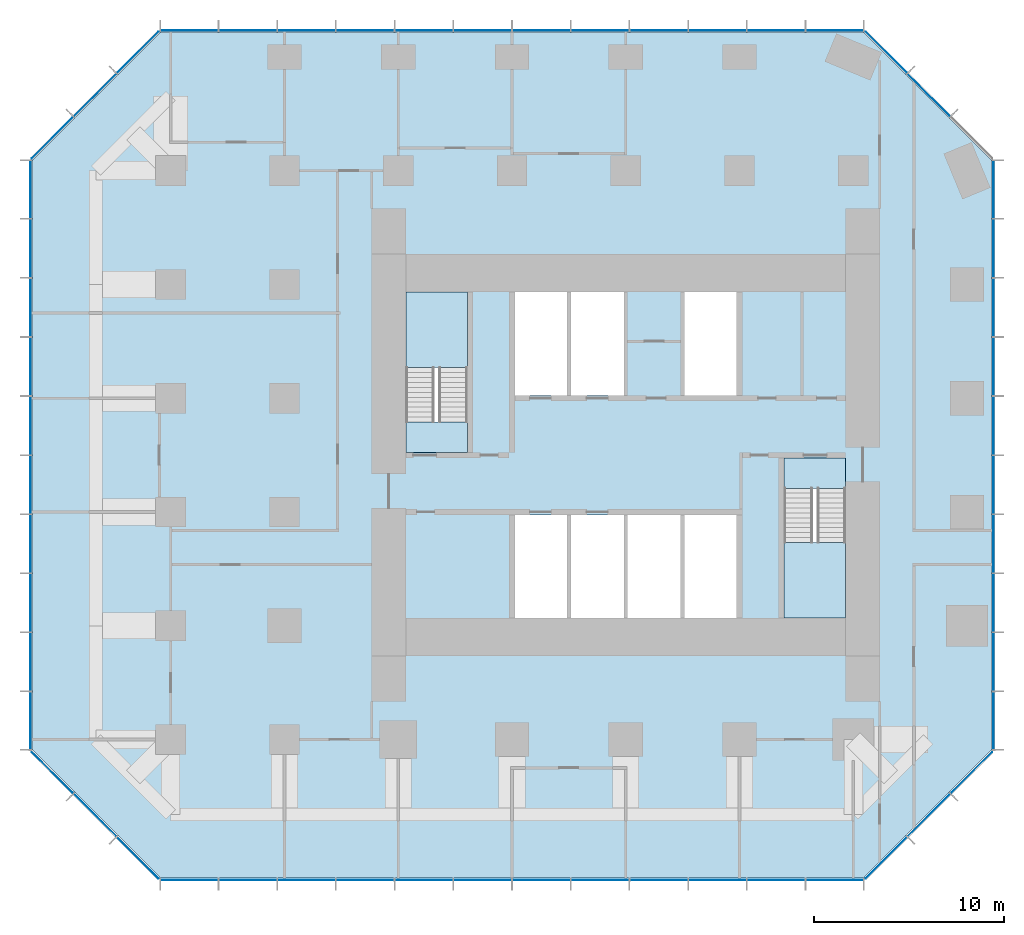
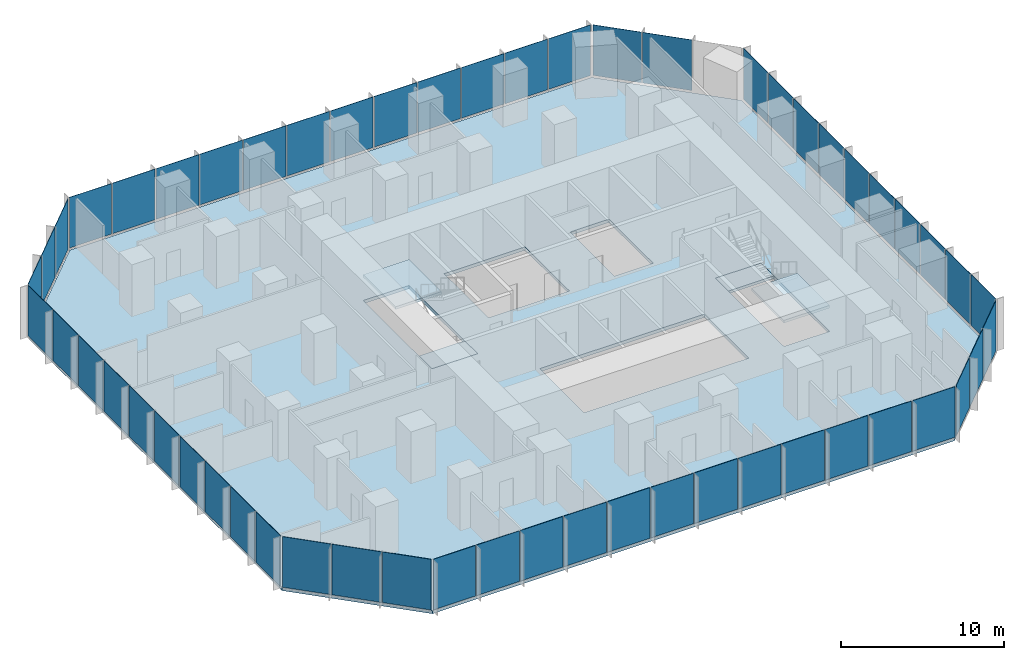
# One storey, part 7 of 11: 55 plates, 5 slabs, 10 elements without a shape of their own.
"""IFC4 building model written with IfcOpenShell, lengths in metres."""

from ifc_helpers import new_model, si_unit, direction, frame, origin, origin_2d, place, context, subcontext, project, spatial, polyline, rectangle, outline, extrude, material, layer, layer_set, type_object, element, aggregate, save


model = new_model("IFC4")

# Units and contexts
model_context = context("Model", 3, precision=1e-05, world=origin(), true_north=direction((0.0, 1.0)))
body_context = subcontext(model_context, "Body", "Model", "MODEL_VIEW")
ifc_project = project(units=[si_unit("LENGTHUNIT", "METRE"), si_unit("AREAUNIT", "SQUARE_METRE"), si_unit("VOLUMEUNIT", "CUBIC_METRE"), si_unit("PLANEANGLEUNIT", "RADIAN"), si_unit("MASSUNIT", "GRAM", prefix="KILO")], contexts=[model_context])

# Site, building, storey
site_placement = place(None, origin())
site = spatial("IfcSite", under=ifc_project, at=site_placement, CompositionType="ELEMENT")
building_placement = place(site_placement, origin())
building = spatial("IfcBuilding", under=site, at=building_placement, Name="Highveld Stack Headquarters", CompositionType="ELEMENT")
storey_placement = place(building_placement, frame((0.0, 0.0, 128.89990234375)))
storey = spatial("IfcBuildingStorey", under=building, at=storey_placement, Name="L31", CompositionType="ELEMENT", Elevation=128.89990234375)

# Curtain wall, plates
ifc_material_1 = material(Name="Aluminium bronze anodised", Category="aluminium")
ifc_layer_1 = layer(ifc_material_1, 0.199951171875)
ifc_layer_set_1 = layer_set([ifc_layer_1], Name="Aluminium bronze anodised")
curtain_wall_type_1 = type_object("IfcCurtainWallType", Name="CW1 TOWER UNITISED CURTAIN WALL", PredefinedType="NOTDEFINED", material=ifc_layer_set_1)
curtain_wall_1_placement = place(storey_placement, origin())
curtain_wall_1 = element("IfcCurtainWall", 1, at=curtain_wall_1_placement, inside=storey, type_object=curtain_wall_type_1, Name="Curtain wall CW1 L31 S", PredefinedType="NOTDEFINED")
ifc_material_2 = material(Name="Glass bronze tinted double glazed unit", Category="glass")
ifc_layer_2 = layer(ifc_material_2, 0.028076171875)
ifc_layer_set_2 = layer_set([ifc_layer_2], Name="Glass bronze tinted double glazed unit")
plate_type_1 = type_object("IfcPlateType", Name="CW1 PANEL BRONZE TINTED DOUBLE GLAZED UNIT", PredefinedType="CURTAIN_PANEL", material=ifc_layer_set_2)
plate_1_placement = place(storey_placement, frame((-17.015380859375, -19.39990234375, 0.10009765625), z_axis=(0.0, 0.0, 1.0), x_axis=(1.0, 0.0, 0.0)))
plate_1 = element("IfcPlate", 2, at=plate_1_placement, type_object=plate_type_1, Name="CW1 panel L31 1.1", PredefinedType="CURTAIN_PANEL", context=body_context, shape_type="SweptSolid", body=[
    extrude(rectangle(XDim=2.9990234375, YDim=0.028076171875, at=origin_2d()), origin(), (0.0, 0.0, 1.0), 3.800048828125),
])
plate_2_placement = place(storey_placement, frame((-13.934814453125, -19.39990234375, 0.10009765625), z_axis=(0.0, 0.0, 1.0), x_axis=(1.0, 0.0, 0.0)))
plate_2 = element("IfcPlate", 3, at=plate_2_placement, type_object=plate_type_1, Name="CW1 panel L31 2.1", PredefinedType="CURTAIN_PANEL", context=body_context, shape_type="SweptSolid", body=[
    extrude(rectangle(XDim=3.031494140625, YDim=0.028076171875, at=origin_2d()), origin(), (0.0, 0.0, 1.0), 3.800048828125),
])
plate_3_placement = place(storey_placement, frame((-10.83837890625, -19.39990234375, 0.10009765625), z_axis=(0.0, 0.0, 1.0), x_axis=(1.0, 0.0, 0.0)))
plate_3 = element("IfcPlate", 4, at=plate_3_placement, type_object=plate_type_1, Name="CW1 panel L31 3.1", PredefinedType="CURTAIN_PANEL", context=body_context, shape_type="SweptSolid", body=[
    extrude(rectangle(XDim=3.031494140625, YDim=0.028076171875, at=origin_2d()), origin(), (0.0, 0.0, 1.0), 3.800048828125),
])
plate_4_placement = place(storey_placement, frame((-7.74169921875, -19.39990234375, 0.10009765625), z_axis=(0.0, 0.0, 1.0), x_axis=(1.0, 0.0, 0.0)))
plate_4 = element("IfcPlate", 5, at=plate_4_placement, type_object=plate_type_1, Name="CW1 panel L31 4.1", PredefinedType="CURTAIN_PANEL", context=body_context, shape_type="SweptSolid", body=[
    extrude(rectangle(XDim=3.031494140625, YDim=0.028076171875, at=origin_2d()), origin(), (0.0, 0.0, 1.0), 3.800048828125),
])
plate_5_placement = place(storey_placement, frame((-4.64501953125, -19.39990234375, 0.10009765625), z_axis=(0.0, 0.0, 1.0), x_axis=(1.0, 0.0, 0.0)))
plate_5 = element("IfcPlate", 6, at=plate_5_placement, type_object=plate_type_1, Name="CW1 panel L31 5.1", PredefinedType="CURTAIN_PANEL", context=body_context, shape_type="SweptSolid", body=[
    extrude(rectangle(XDim=3.031494140625, YDim=0.028076171875, at=origin_2d()), origin(), (0.0, 0.0, 1.0), 3.800048828125),
])
plate_6_placement = place(storey_placement, frame((-1.54833984375, -19.39990234375, 0.10009765625), z_axis=(0.0, 0.0, 1.0), x_axis=(1.0, 0.0, 0.0)))
plate_6 = element("IfcPlate", 7, at=plate_6_placement, type_object=plate_type_1, Name="CW1 panel L31 6.1", PredefinedType="CURTAIN_PANEL", context=body_context, shape_type="SweptSolid", body=[
    extrude(rectangle(XDim=3.031494140625, YDim=0.028076171875, at=origin_2d()), origin(), (0.0, 0.0, 1.0), 3.800048828125),
])
plate_7_placement = place(storey_placement, frame((1.54833984375, -19.39990234375, 0.10009765625), z_axis=(0.0, 0.0, 1.0), x_axis=(1.0, 0.0, 0.0)))
plate_7 = element("IfcPlate", 8, at=plate_7_placement, type_object=plate_type_1, Name="CW1 panel L31 7.1", PredefinedType="CURTAIN_PANEL", context=body_context, shape_type="SweptSolid", body=[
    extrude(rectangle(XDim=3.03173828125, YDim=0.028076171875, at=origin_2d()), origin(), (0.0, 0.0, 1.0), 3.800048828125),
])
plate_8_placement = place(storey_placement, frame((4.64501953125, -19.39990234375, 0.10009765625), z_axis=(0.0, 0.0, 1.0), x_axis=(1.0, 0.0, 0.0)))
plate_8 = element("IfcPlate", 9, at=plate_8_placement, type_object=plate_type_1, Name="CW1 panel L31 8.1", PredefinedType="CURTAIN_PANEL", context=body_context, shape_type="SweptSolid", body=[
    extrude(rectangle(XDim=3.03173828125, YDim=0.028076171875, at=origin_2d()), origin(), (0.0, 0.0, 1.0), 3.800048828125),
])
plate_9_placement = place(storey_placement, frame((7.74169921875, -19.39990234375, 0.10009765625), z_axis=(0.0, 0.0, 1.0), x_axis=(1.0, 0.0, 0.0)))
plate_9 = element("IfcPlate", 10, at=plate_9_placement, type_object=plate_type_1, Name="CW1 panel L31 9.1", PredefinedType="CURTAIN_PANEL", context=body_context, shape_type="SweptSolid", body=[
    extrude(rectangle(XDim=3.03173828125, YDim=0.028076171875, at=origin_2d()), origin(), (0.0, 0.0, 1.0), 3.800048828125),
])
plate_10_placement = place(storey_placement, frame((10.83837890625, -19.39990234375, 0.10009765625), z_axis=(0.0, 0.0, 1.0), x_axis=(1.0, 0.0, 0.0)))
plate_10 = element("IfcPlate", 11, at=plate_10_placement, type_object=plate_type_1, Name="CW1 panel L31 10.1", PredefinedType="CURTAIN_PANEL", context=body_context, shape_type="SweptSolid", body=[
    extrude(rectangle(XDim=3.03173828125, YDim=0.028076171875, at=origin_2d()), origin(), (0.0, 0.0, 1.0), 3.800048828125),
])
plate_11_placement = place(storey_placement, frame((13.934814453125, -19.39990234375, 0.10009765625), z_axis=(0.0, 0.0, 1.0), x_axis=(1.0, 0.0, 0.0)))
plate_11 = element("IfcPlate", 12, at=plate_11_placement, type_object=plate_type_1, Name="CW1 panel L31 11.1", PredefinedType="CURTAIN_PANEL", context=body_context, shape_type="SweptSolid", body=[
    extrude(rectangle(XDim=3.03173828125, YDim=0.028076171875, at=origin_2d()), origin(), (0.0, 0.0, 1.0), 3.800048828125),
])
plate_12_placement = place(storey_placement, frame((17.015380859375, -19.39990234375, 0.10009765625), z_axis=(0.0, 0.0, 1.0), x_axis=(1.0, 0.0, 0.0)))
plate_12 = element("IfcPlate", 13, at=plate_12_placement, type_object=plate_type_1, Name="CW1 panel L31 12.1", PredefinedType="CURTAIN_PANEL", context=body_context, shape_type="SweptSolid", body=[
    extrude(rectangle(XDim=2.999267578125, YDim=0.028076171875, at=origin_2d()), origin(), (0.0, 0.0, 1.0), 3.800048828125),
])
aggregate(curtain_wall_1, [plate_1, plate_2, plate_3, plate_4, plate_5, plate_6, plate_7, plate_8, plate_9, plate_10, plate_11, plate_12])

curtain_wall_2_placement = place(storey_placement, origin())
curtain_wall_2 = element("IfcCurtainWall", 14, at=curtain_wall_2_placement, inside=storey, type_object=curtain_wall_type_1, Name="Curtain wall CW1 L31 E", PredefinedType="NOTDEFINED")
plate_13_placement = place(storey_placement, frame((25.39990234375, -11.005615234375, 0.10009765625), z_axis=(0.0, 0.0, 1.0), x_axis=(0.0, 1.0, 0.0)))
plate_13 = element("IfcPlate", 15, at=plate_13_placement, type_object=plate_type_1, Name="CW1 panel L31 1.1", PredefinedType="CURTAIN_PANEL", context=body_context, shape_type="SweptSolid", body=[
    extrude(rectangle(XDim=3.0185546875, YDim=0.028076171875, at=origin_2d()), origin(), (0.0, 0.0, 1.0), 3.800048828125),
])
plate_14_placement = place(storey_placement, frame((25.39990234375, -7.906005859375, 0.10009765625), z_axis=(0.0, 0.0, 1.0), x_axis=(0.0, 1.0, 0.0)))
plate_14 = element("IfcPlate", 16, at=plate_14_placement, type_object=plate_type_1, Name="CW1 panel L31 2.1", PredefinedType="CURTAIN_PANEL", context=body_context, shape_type="SweptSolid", body=[
    extrude(rectangle(XDim=3.051025390625, YDim=0.028076171875, at=origin_2d()), origin(), (0.0, 0.0, 1.0), 3.800048828125),
])
plate_15_placement = place(storey_placement, frame((25.39990234375, -4.7900390625, 0.10009765625), z_axis=(0.0, 0.0, 1.0), x_axis=(0.0, 1.0, 0.0)))
plate_15 = element("IfcPlate", 17, at=plate_15_placement, type_object=plate_type_1, Name="CW1 panel L31 3.1", PredefinedType="CURTAIN_PANEL", context=body_context, shape_type="SweptSolid", body=[
    extrude(rectangle(XDim=3.051025390625, YDim=0.028076171875, at=origin_2d()), origin(), (0.0, 0.0, 1.0), 3.800048828125),
])
plate_16_placement = place(storey_placement, frame((25.39990234375, -1.674072265625, 0.10009765625), z_axis=(0.0, 0.0, 1.0), x_axis=(0.0, 1.0, 0.0)))
plate_16 = element("IfcPlate", 18, at=plate_16_placement, type_object=plate_type_1, Name="CW1 panel L31 4.1", PredefinedType="CURTAIN_PANEL", context=body_context, shape_type="SweptSolid", body=[
    extrude(rectangle(XDim=3.051025390625, YDim=0.028076171875, at=origin_2d()), origin(), (0.0, 0.0, 1.0), 3.800048828125),
])
plate_17_placement = place(storey_placement, frame((25.39990234375, 1.44189453125, 0.10009765625), z_axis=(0.0, 0.0, 1.0), x_axis=(0.0, 1.0, 0.0)))
plate_17 = element("IfcPlate", 19, at=plate_17_placement, type_object=plate_type_1, Name="CW1 panel L31 5.1", PredefinedType="CURTAIN_PANEL", context=body_context, shape_type="SweptSolid", body=[
    extrude(rectangle(XDim=3.051025390625, YDim=0.028076171875, at=origin_2d()), origin(), (0.0, 0.0, 1.0), 3.800048828125),
])
plate_18_placement = place(storey_placement, frame((25.39990234375, 4.55810546875, 0.10009765625), z_axis=(0.0, 0.0, 1.0), x_axis=(0.0, 1.0, 0.0)))
plate_18 = element("IfcPlate", 20, at=plate_18_placement, type_object=plate_type_1, Name="CW1 panel L31 6.1", PredefinedType="CURTAIN_PANEL", context=body_context, shape_type="SweptSolid", body=[
    extrude(rectangle(XDim=3.051025390625, YDim=0.028076171875, at=origin_2d()), origin(), (0.0, 0.0, 1.0), 3.800048828125),
])
plate_19_placement = place(storey_placement, frame((25.39990234375, 7.674072265625, 0.10009765625), z_axis=(0.0, 0.0, 1.0), x_axis=(0.0, 1.0, 0.0)))
plate_19 = element("IfcPlate", 21, at=plate_19_placement, type_object=plate_type_1, Name="CW1 panel L31 7.1", PredefinedType="CURTAIN_PANEL", context=body_context, shape_type="SweptSolid", body=[
    extrude(rectangle(XDim=3.051025390625, YDim=0.028076171875, at=origin_2d()), origin(), (0.0, 0.0, 1.0), 3.800048828125),
])
plate_20_placement = place(storey_placement, frame((25.39990234375, 10.789794921875, 0.10009765625), z_axis=(0.0, 0.0, 1.0), x_axis=(0.0, 1.0, 0.0)))
plate_20 = element("IfcPlate", 22, at=plate_20_placement, type_object=plate_type_1, Name="CW1 panel L31 8.1", PredefinedType="CURTAIN_PANEL", context=body_context, shape_type="SweptSolid", body=[
    extrude(rectangle(XDim=3.051025390625, YDim=0.028076171875, at=origin_2d()), origin(), (0.0, 0.0, 1.0), 3.800048828125),
])
plate_21_placement = place(storey_placement, frame((25.39990234375, 13.906005859375, 0.10009765625), z_axis=(0.0, 0.0, 1.0), x_axis=(0.0, 1.0, 0.0)))
plate_21 = element("IfcPlate", 23, at=plate_21_placement, type_object=plate_type_1, Name="CW1 panel L31 9.1", PredefinedType="CURTAIN_PANEL", context=body_context, shape_type="SweptSolid", body=[
    extrude(rectangle(XDim=3.051025390625, YDim=0.028076171875, at=origin_2d()), origin(), (0.0, 0.0, 1.0), 3.800048828125),
])
plate_22_placement = place(storey_placement, frame((25.39990234375, 17.005615234375, 0.10009765625), z_axis=(0.0, 0.0, 1.0), x_axis=(0.0, 1.0, 0.0)))
plate_22 = element("IfcPlate", 24, at=plate_22_placement, type_object=plate_type_1, Name="CW1 panel L31 10.1", PredefinedType="CURTAIN_PANEL", context=body_context, shape_type="SweptSolid", body=[
    extrude(rectangle(XDim=3.0185546875, YDim=0.028076171875, at=origin_2d()), origin(), (0.0, 0.0, 1.0), 3.800048828125),
])
aggregate(curtain_wall_2, [plate_13, plate_14, plate_15, plate_16, plate_17, plate_18, plate_19, plate_20, plate_21, plate_22])

curtain_wall_3_placement = place(storey_placement, origin())
curtain_wall_3 = element("IfcCurtainWall", 25, at=curtain_wall_3_placement, inside=storey, type_object=curtain_wall_type_1, Name="Curtain wall CW1 L31 N", PredefinedType="NOTDEFINED")
plate_23_placement = place(storey_placement, frame((17.015380859375, 25.39990234375, 0.10009765625), z_axis=(0.0, 0.0, 1.0), x_axis=(-1.0, 0.0, 0.0)))
plate_23 = element("IfcPlate", 26, at=plate_23_placement, type_object=plate_type_1, Name="CW1 panel L31 1.1", PredefinedType="CURTAIN_PANEL", context=body_context, shape_type="SweptSolid", body=[
    extrude(rectangle(XDim=2.9990234375, YDim=0.028076171875, at=origin_2d()), origin(), (0.0, 0.0, 1.0), 3.800048828125),
])
plate_24_placement = place(storey_placement, frame((13.934814453125, 25.39990234375, 0.10009765625), z_axis=(0.0, 0.0, 1.0), x_axis=(-1.0, 0.0, 0.0)))
plate_24 = element("IfcPlate", 27, at=plate_24_placement, type_object=plate_type_1, Name="CW1 panel L31 2.1", PredefinedType="CURTAIN_PANEL", context=body_context, shape_type="SweptSolid", body=[
    extrude(rectangle(XDim=3.031494140625, YDim=0.028076171875, at=origin_2d()), origin(), (0.0, 0.0, 1.0), 3.800048828125),
])
plate_25_placement = place(storey_placement, frame((10.83837890625, 25.39990234375, 0.10009765625), z_axis=(0.0, 0.0, 1.0), x_axis=(-1.0, 0.0, 0.0)))
plate_25 = element("IfcPlate", 28, at=plate_25_placement, type_object=plate_type_1, Name="CW1 panel L31 3.1", PredefinedType="CURTAIN_PANEL", context=body_context, shape_type="SweptSolid", body=[
    extrude(rectangle(XDim=3.031494140625, YDim=0.028076171875, at=origin_2d()), origin(), (0.0, 0.0, 1.0), 3.800048828125),
])
plate_26_placement = place(storey_placement, frame((7.74169921875, 25.39990234375, 0.10009765625), z_axis=(0.0, 0.0, 1.0), x_axis=(-1.0, 0.0, 0.0)))
plate_26 = element("IfcPlate", 29, at=plate_26_placement, type_object=plate_type_1, Name="CW1 panel L31 4.1", PredefinedType="CURTAIN_PANEL", context=body_context, shape_type="SweptSolid", body=[
    extrude(rectangle(XDim=3.031494140625, YDim=0.028076171875, at=origin_2d()), origin(), (0.0, 0.0, 1.0), 3.800048828125),
])
plate_27_placement = place(storey_placement, frame((4.64501953125, 25.39990234375, 0.10009765625), z_axis=(0.0, 0.0, 1.0), x_axis=(-1.0, 0.0, 0.0)))
plate_27 = element("IfcPlate", 30, at=plate_27_placement, type_object=plate_type_1, Name="CW1 panel L31 5.1", PredefinedType="CURTAIN_PANEL", context=body_context, shape_type="SweptSolid", body=[
    extrude(rectangle(XDim=3.031494140625, YDim=0.028076171875, at=origin_2d()), origin(), (0.0, 0.0, 1.0), 3.800048828125),
])
plate_28_placement = place(storey_placement, frame((1.54833984375, 25.39990234375, 0.10009765625), z_axis=(0.0, 0.0, 1.0), x_axis=(-1.0, 0.0, 0.0)))
plate_28 = element("IfcPlate", 31, at=plate_28_placement, type_object=plate_type_1, Name="CW1 panel L31 6.1", PredefinedType="CURTAIN_PANEL", context=body_context, shape_type="SweptSolid", body=[
    extrude(rectangle(XDim=3.031494140625, YDim=0.028076171875, at=origin_2d()), origin(), (0.0, 0.0, 1.0), 3.800048828125),
])
plate_29_placement = place(storey_placement, frame((-1.54833984375, 25.39990234375, 0.10009765625), z_axis=(0.0, 0.0, 1.0), x_axis=(-1.0, 0.0, 0.0)))
plate_29 = element("IfcPlate", 32, at=plate_29_placement, type_object=plate_type_1, Name="CW1 panel L31 7.1", PredefinedType="CURTAIN_PANEL", context=body_context, shape_type="SweptSolid", body=[
    extrude(rectangle(XDim=3.03173828125, YDim=0.028076171875, at=origin_2d()), origin(), (0.0, 0.0, 1.0), 3.800048828125),
])
plate_30_placement = place(storey_placement, frame((-4.64501953125, 25.39990234375, 0.10009765625), z_axis=(0.0, 0.0, 1.0), x_axis=(-1.0, 0.0, 0.0)))
plate_30 = element("IfcPlate", 33, at=plate_30_placement, type_object=plate_type_1, Name="CW1 panel L31 8.1", PredefinedType="CURTAIN_PANEL", context=body_context, shape_type="SweptSolid", body=[
    extrude(rectangle(XDim=3.03173828125, YDim=0.028076171875, at=origin_2d()), origin(), (0.0, 0.0, 1.0), 3.800048828125),
])
plate_31_placement = place(storey_placement, frame((-7.74169921875, 25.39990234375, 0.10009765625), z_axis=(0.0, 0.0, 1.0), x_axis=(-1.0, 0.0, 0.0)))
plate_31 = element("IfcPlate", 34, at=plate_31_placement, type_object=plate_type_1, Name="CW1 panel L31 9.1", PredefinedType="CURTAIN_PANEL", context=body_context, shape_type="SweptSolid", body=[
    extrude(rectangle(XDim=3.03173828125, YDim=0.028076171875, at=origin_2d()), origin(), (0.0, 0.0, 1.0), 3.800048828125),
])
plate_32_placement = place(storey_placement, frame((-10.83837890625, 25.39990234375, 0.10009765625), z_axis=(0.0, 0.0, 1.0), x_axis=(-1.0, 0.0, 0.0)))
plate_32 = element("IfcPlate", 35, at=plate_32_placement, type_object=plate_type_1, Name="CW1 panel L31 10.1", PredefinedType="CURTAIN_PANEL", context=body_context, shape_type="SweptSolid", body=[
    extrude(rectangle(XDim=3.03173828125, YDim=0.028076171875, at=origin_2d()), origin(), (0.0, 0.0, 1.0), 3.800048828125),
])
plate_33_placement = place(storey_placement, frame((-13.934814453125, 25.39990234375, 0.10009765625), z_axis=(0.0, 0.0, 1.0), x_axis=(-1.0, 0.0, 0.0)))
plate_33 = element("IfcPlate", 36, at=plate_33_placement, type_object=plate_type_1, Name="CW1 panel L31 11.1", PredefinedType="CURTAIN_PANEL", context=body_context, shape_type="SweptSolid", body=[
    extrude(rectangle(XDim=3.03173828125, YDim=0.028076171875, at=origin_2d()), origin(), (0.0, 0.0, 1.0), 3.800048828125),
])
plate_34_placement = place(storey_placement, frame((-17.015380859375, 25.39990234375, 0.10009765625), z_axis=(0.0, 0.0, 1.0), x_axis=(-1.0, 0.0, 0.0)))
plate_34 = element("IfcPlate", 37, at=plate_34_placement, type_object=plate_type_1, Name="CW1 panel L31 12.1", PredefinedType="CURTAIN_PANEL", context=body_context, shape_type="SweptSolid", body=[
    extrude(rectangle(XDim=2.999267578125, YDim=0.028076171875, at=origin_2d()), origin(), (0.0, 0.0, 1.0), 3.800048828125),
])
aggregate(curtain_wall_3, [plate_23, plate_24, plate_25, plate_26, plate_27, plate_28, plate_29, plate_30, plate_31, plate_32, plate_33, plate_34])

curtain_wall_4_placement = place(storey_placement, origin())
curtain_wall_4 = element("IfcCurtainWall", 38, at=curtain_wall_4_placement, inside=storey, type_object=curtain_wall_type_1, Name="Curtain wall CW1 L31 W", PredefinedType="NOTDEFINED")
plate_35_placement = place(storey_placement, frame((-25.39990234375, 17.005615234375, 0.10009765625), z_axis=(0.0, 0.0, 1.0), x_axis=(0.0, -1.0, 0.0)))
plate_35 = element("IfcPlate", 39, at=plate_35_placement, type_object=plate_type_1, Name="CW1 panel L31 1.1", PredefinedType="CURTAIN_PANEL", context=body_context, shape_type="SweptSolid", body=[
    extrude(rectangle(XDim=3.0185546875, YDim=0.028076171875, at=origin_2d()), origin(), (0.0, 0.0, 1.0), 3.800048828125),
])
plate_36_placement = place(storey_placement, frame((-25.39990234375, 13.906005859375, 0.10009765625), z_axis=(0.0, 0.0, 1.0), x_axis=(0.0, -1.0, 0.0)))
plate_36 = element("IfcPlate", 40, at=plate_36_placement, type_object=plate_type_1, Name="CW1 panel L31 2.1", PredefinedType="CURTAIN_PANEL", context=body_context, shape_type="SweptSolid", body=[
    extrude(rectangle(XDim=3.051025390625, YDim=0.028076171875, at=origin_2d()), origin(), (0.0, 0.0, 1.0), 3.800048828125),
])
plate_37_placement = place(storey_placement, frame((-25.39990234375, 10.7900390625, 0.10009765625), z_axis=(0.0, 0.0, 1.0), x_axis=(0.0, -1.0, 0.0)))
plate_37 = element("IfcPlate", 41, at=plate_37_placement, type_object=plate_type_1, Name="CW1 panel L31 3.1", PredefinedType="CURTAIN_PANEL", context=body_context, shape_type="SweptSolid", body=[
    extrude(rectangle(XDim=3.051025390625, YDim=0.028076171875, at=origin_2d()), origin(), (0.0, 0.0, 1.0), 3.800048828125),
])
plate_38_placement = place(storey_placement, frame((-25.39990234375, 7.674072265625, 0.10009765625), z_axis=(0.0, 0.0, 1.0), x_axis=(0.0, -1.0, 0.0)))
plate_38 = element("IfcPlate", 42, at=plate_38_placement, type_object=plate_type_1, Name="CW1 panel L31 4.1", PredefinedType="CURTAIN_PANEL", context=body_context, shape_type="SweptSolid", body=[
    extrude(rectangle(XDim=3.051025390625, YDim=0.028076171875, at=origin_2d()), origin(), (0.0, 0.0, 1.0), 3.800048828125),
])
plate_39_placement = place(storey_placement, frame((-25.39990234375, 4.55810546875, 0.10009765625), z_axis=(0.0, 0.0, 1.0), x_axis=(0.0, -1.0, 0.0)))
plate_39 = element("IfcPlate", 43, at=plate_39_placement, type_object=plate_type_1, Name="CW1 panel L31 5.1", PredefinedType="CURTAIN_PANEL", context=body_context, shape_type="SweptSolid", body=[
    extrude(rectangle(XDim=3.051025390625, YDim=0.028076171875, at=origin_2d()), origin(), (0.0, 0.0, 1.0), 3.800048828125),
])
plate_40_placement = place(storey_placement, frame((-25.39990234375, 1.44189453125, 0.10009765625), z_axis=(0.0, 0.0, 1.0), x_axis=(0.0, -1.0, 0.0)))
plate_40 = element("IfcPlate", 44, at=plate_40_placement, type_object=plate_type_1, Name="CW1 panel L31 6.1", PredefinedType="CURTAIN_PANEL", context=body_context, shape_type="SweptSolid", body=[
    extrude(rectangle(XDim=3.051025390625, YDim=0.028076171875, at=origin_2d()), origin(), (0.0, 0.0, 1.0), 3.800048828125),
])
plate_41_placement = place(storey_placement, frame((-25.39990234375, -1.674072265625, 0.10009765625), z_axis=(0.0, 0.0, 1.0), x_axis=(0.0, -1.0, 0.0)))
plate_41 = element("IfcPlate", 45, at=plate_41_placement, type_object=plate_type_1, Name="CW1 panel L31 7.1", PredefinedType="CURTAIN_PANEL", context=body_context, shape_type="SweptSolid", body=[
    extrude(rectangle(XDim=3.051025390625, YDim=0.028076171875, at=origin_2d()), origin(), (0.0, 0.0, 1.0), 3.800048828125),
])
plate_42_placement = place(storey_placement, frame((-25.39990234375, -4.789794921875, 0.10009765625), z_axis=(0.0, 0.0, 1.0), x_axis=(0.0, -1.0, 0.0)))
plate_42 = element("IfcPlate", 46, at=plate_42_placement, type_object=plate_type_1, Name="CW1 panel L31 8.1", PredefinedType="CURTAIN_PANEL", context=body_context, shape_type="SweptSolid", body=[
    extrude(rectangle(XDim=3.051025390625, YDim=0.028076171875, at=origin_2d()), origin(), (0.0, 0.0, 1.0), 3.800048828125),
])
plate_43_placement = place(storey_placement, frame((-25.39990234375, -7.906005859375, 0.10009765625), z_axis=(0.0, 0.0, 1.0), x_axis=(0.0, -1.0, 0.0)))
plate_43 = element("IfcPlate", 47, at=plate_43_placement, type_object=plate_type_1, Name="CW1 panel L31 9.1", PredefinedType="CURTAIN_PANEL", context=body_context, shape_type="SweptSolid", body=[
    extrude(rectangle(XDim=3.051025390625, YDim=0.028076171875, at=origin_2d()), origin(), (0.0, 0.0, 1.0), 3.800048828125),
])
plate_44_placement = place(storey_placement, frame((-25.39990234375, -11.005615234375, 0.10009765625), z_axis=(0.0, 0.0, 1.0), x_axis=(0.0, -1.0, 0.0)))
plate_44 = element("IfcPlate", 48, at=plate_44_placement, type_object=plate_type_1, Name="CW1 panel L31 10.1", PredefinedType="CURTAIN_PANEL", context=body_context, shape_type="SweptSolid", body=[
    extrude(rectangle(XDim=3.0185546875, YDim=0.028076171875, at=origin_2d()), origin(), (0.0, 0.0, 1.0), 3.800048828125),
])
aggregate(curtain_wall_4, [plate_35, plate_36, plate_37, plate_38, plate_39, plate_40, plate_41, plate_42, plate_43, plate_44])

ifc_material_3 = material(Name="Aluminium bronze anodised", Category="aluminium")
ifc_layer_3 = layer(ifc_material_3, 0.199951171875)
ifc_layer_set_3 = layer_set([ifc_layer_3], Name="Aluminium bronze anodised")
curtain_wall_type_2 = type_object("IfcCurtainWallType", Name="CW2 TOWER CHAMFER UNITISED CURTAIN WALL", PredefinedType="NOTDEFINED", material=ifc_layer_set_3)
curtain_wall_5_placement = place(storey_placement, origin())
curtain_wall_5 = element("IfcCurtainWall", 49, at=curtain_wall_5_placement, inside=storey, type_object=curtain_wall_type_2, Name="Curtain wall CW2 L31 SE", PredefinedType="NOTDEFINED")
ifc_material_4 = material(Name="Glass bronze tinted double glazed unit", Category="glass")
ifc_layer_4 = layer(ifc_material_4, 0.028076171875)
ifc_layer_set_4 = layer_set([ifc_layer_4], Name="Glass bronze tinted double glazed unit")
plate_type_2 = type_object("IfcPlateType", Name="CW2 PANEL BRONZE TINTED DOUBLE GLAZED UNIT", PredefinedType="CURTAIN_PANEL", material=ifc_layer_set_4)
plate_45_placement = place(storey_placement, frame((19.740478515625, -18.239501953125, 0.10009765625), z_axis=(0.0, 0.0, 1.0), x_axis=(0.707106781187, 0.707106781187, 0.0)))
plate_45 = element("IfcPlate", 50, at=plate_45_placement, type_object=plate_type_2, Name="CW2 panel L31 1.1", PredefinedType="CURTAIN_PANEL", context=body_context, shape_type="SweptSolid", body=[
    extrude(rectangle(XDim=3.08251953125, YDim=0.028076171875, at=origin_2d()), origin(), (0.0, 0.0, 1.0), 3.800048828125),
])
plate_46_placement = place(storey_placement, frame((21.989990234375, -15.989990234375, 0.10009765625), z_axis=(0.0, 0.0, 1.0), x_axis=(0.707106781187, 0.707106781187, 0.0)))
plate_46 = element("IfcPlate", 51, at=plate_46_placement, type_object=plate_type_2, Name="CW2 panel L31 2.1", PredefinedType="CURTAIN_PANEL", context=body_context, shape_type="SweptSolid", body=[
    extrude(rectangle(XDim=3.14990234375, YDim=0.028076171875, at=origin_2d()), origin(), (0.0, 0.0, 1.0), 3.800048828125),
])
plate_47_placement = place(storey_placement, frame((24.239501953125, -13.740478515625, 0.10009765625), z_axis=(0.0, 0.0, 1.0), x_axis=(0.707106781187, 0.707106781187, 0.0)))
plate_47 = element("IfcPlate", 52, at=plate_47_placement, type_object=plate_type_2, Name="CW2 panel L31 3.1", PredefinedType="CURTAIN_PANEL", context=body_context, shape_type="SweptSolid", body=[
    extrude(rectangle(XDim=3.08251953125, YDim=0.028076171875, at=origin_2d()), origin(), (0.0, 0.0, 1.0), 3.800048828125),
])
aggregate(curtain_wall_5, [plate_45, plate_46, plate_47])

curtain_wall_6_placement = place(storey_placement, origin())
curtain_wall_6 = element("IfcCurtainWall", 53, at=curtain_wall_6_placement, inside=storey, type_object=curtain_wall_type_2, Name="Curtain wall CW2 L31 NE", PredefinedType="NOTDEFINED")
plate_48_placement = place(storey_placement, frame((21.989990234375, 21.989990234375, 0.10009765625), z_axis=(0.0, 0.0, 1.0), x_axis=(-0.707106781187, 0.707106781187, 0.0)))
plate_48 = element("IfcPlate", 54, at=plate_48_placement, type_object=plate_type_2, Name="CW2 panel L31 2.1", PredefinedType="CURTAIN_PANEL", context=body_context, shape_type="SweptSolid", body=[
    extrude(rectangle(XDim=3.14990234375, YDim=0.028076171875, at=origin_2d()), origin(), (0.0, 0.0, 1.0), 3.800048828125),
])
plate_49_placement = place(storey_placement, frame((19.740478515625, 24.239501953125, 0.10009765625), z_axis=(0.0, 0.0, 1.0), x_axis=(-0.707106781187, 0.707106781187, 0.0)))
plate_49 = element("IfcPlate", 55, at=plate_49_placement, type_object=plate_type_2, Name="CW2 panel L31 3.1", PredefinedType="CURTAIN_PANEL", context=body_context, shape_type="SweptSolid", body=[
    extrude(rectangle(XDim=3.08251953125, YDim=0.028076171875, at=origin_2d()), origin(), (0.0, 0.0, 1.0), 3.800048828125),
])
aggregate(curtain_wall_6, [plate_48, plate_49])

curtain_wall_7_placement = place(storey_placement, origin())
curtain_wall_7 = element("IfcCurtainWall", 56, at=curtain_wall_7_placement, inside=storey, type_object=curtain_wall_type_2, Name="Curtain wall CW2 L31 NW", PredefinedType="NOTDEFINED")
plate_50_placement = place(storey_placement, frame((-19.740478515625, 24.239501953125, 0.10009765625), z_axis=(0.0, 0.0, 1.0), x_axis=(-0.707106781187, -0.707106781187, 0.0)))
plate_50 = element("IfcPlate", 57, at=plate_50_placement, type_object=plate_type_2, Name="CW2 panel L31 1.1", PredefinedType="CURTAIN_PANEL", context=body_context, shape_type="SweptSolid", body=[
    extrude(rectangle(XDim=3.08251953125, YDim=0.028076171875, at=origin_2d()), origin(), (0.0, 0.0, 1.0), 3.800048828125),
])
plate_51_placement = place(storey_placement, frame((-21.989990234375, 21.989990234375, 0.10009765625), z_axis=(0.0, 0.0, 1.0), x_axis=(-0.707106781187, -0.707106781187, 0.0)))
plate_51 = element("IfcPlate", 58, at=plate_51_placement, type_object=plate_type_2, Name="CW2 panel L31 2.1", PredefinedType="CURTAIN_PANEL", context=body_context, shape_type="SweptSolid", body=[
    extrude(rectangle(XDim=3.14990234375, YDim=0.028076171875, at=origin_2d()), origin(), (0.0, 0.0, 1.0), 3.800048828125),
])
plate_52_placement = place(storey_placement, frame((-24.239501953125, 19.740478515625, 0.10009765625), z_axis=(0.0, 0.0, 1.0), x_axis=(-0.707106781187, -0.707106781187, 0.0)))
plate_52 = element("IfcPlate", 59, at=plate_52_placement, type_object=plate_type_2, Name="CW2 panel L31 3.1", PredefinedType="CURTAIN_PANEL", context=body_context, shape_type="SweptSolid", body=[
    extrude(rectangle(XDim=3.08251953125, YDim=0.028076171875, at=origin_2d()), origin(), (0.0, 0.0, 1.0), 3.800048828125),
])
aggregate(curtain_wall_7, [plate_50, plate_51, plate_52])

curtain_wall_8_placement = place(storey_placement, origin())
curtain_wall_8 = element("IfcCurtainWall", 60, at=curtain_wall_8_placement, inside=storey, type_object=curtain_wall_type_2, Name="Curtain wall CW2 L31 SW", PredefinedType="NOTDEFINED")
plate_53_placement = place(storey_placement, frame((-24.239501953125, -13.740478515625, 0.10009765625), z_axis=(0.0, 0.0, 1.0), x_axis=(0.707106781187, -0.707106781187, 0.0)))
plate_53 = element("IfcPlate", 61, at=plate_53_placement, type_object=plate_type_2, Name="CW2 panel L31 1.1", PredefinedType="CURTAIN_PANEL", context=body_context, shape_type="SweptSolid", body=[
    extrude(rectangle(XDim=3.08251953125, YDim=0.028076171875, at=origin_2d()), origin(), (0.0, 0.0, 1.0), 3.800048828125),
])
plate_54_placement = place(storey_placement, frame((-21.989990234375, -15.989990234375, 0.10009765625), z_axis=(0.0, 0.0, 1.0), x_axis=(0.707106781187, -0.707106781187, 0.0)))
plate_54 = element("IfcPlate", 62, at=plate_54_placement, type_object=plate_type_2, Name="CW2 panel L31 2.1", PredefinedType="CURTAIN_PANEL", context=body_context, shape_type="SweptSolid", body=[
    extrude(rectangle(XDim=3.14990234375, YDim=0.028076171875, at=origin_2d()), origin(), (0.0, 0.0, 1.0), 3.800048828125),
])
plate_55_placement = place(storey_placement, frame((-19.740478515625, -18.239501953125, 0.10009765625), z_axis=(0.0, 0.0, 1.0), x_axis=(0.707106781187, -0.707106781187, 0.0)))
plate_55 = element("IfcPlate", 63, at=plate_55_placement, type_object=plate_type_2, Name="CW2 panel L31 3.1", PredefinedType="CURTAIN_PANEL", context=body_context, shape_type="SweptSolid", body=[
    extrude(rectangle(XDim=3.08251953125, YDim=0.028076171875, at=origin_2d()), origin(), (0.0, 0.0, 1.0), 3.800048828125),
])
aggregate(curtain_wall_8, [plate_53, plate_54, plate_55])

# Slab
ifc_material_5 = material(Name="Concrete C60/75", Category="concrete")
ifc_layer_5 = layer(ifc_material_5, 0.25)
ifc_layer_set_5 = layer_set([ifc_layer_5], Name="Concrete C60/75")
slab_type_1 = type_object("IfcSlabType", Name="PT FLAT SLAB 250", PredefinedType="FLOOR", material=ifc_layer_set_5)
slab_1_placement = place(storey_placement, frame((0.0, 0.0, -0.25)))
element("IfcSlab", 64, at=slab_1_placement, inside=storey, type_object=slab_type_1, Name="Floor slab L31", PredefinedType="FLOOR", context=body_context, shape_type="SweptSolid", body=[
    extrude(outline(polyline([(-18.53857421875, -19.300048828125), (18.53857421875, -19.300048828125), (25.300048828125, -12.53857421875), (25.300048828125, 18.53857421875), (18.53857421875, 25.300048828125), (-18.53857421875, 25.300048828125), (-25.300048828125, 18.53857421875), (-25.300048828125, -12.53857421875), (-18.53857421875, -19.300048828125)]), holes=[polyline([(0.14990234375, 6.14990234375), (5.89990234375, 6.14990234375), (5.89990234375, 11.60009765625), (0.14990234375, 11.60009765625), (0.14990234375, 6.14990234375)]), polyline([(9.10009765625, 6.14990234375), (11.85009765625, 6.14990234375), (11.85009765625, 11.60009765625), (9.10009765625, 11.60009765625), (9.10009765625, 6.14990234375)]), polyline([(0.14990234375, -5.60009765625), (11.85009765625, -5.60009765625), (11.85009765625, -0.14990234375), (0.14990234375, -0.14990234375), (0.14990234375, -5.60009765625)]), polyline([(-5.60009765625, 3.14990234375), (-2.35009765625, 3.14990234375), (-2.35009765625, 11.60009765625), (-5.60009765625, 11.60009765625), (-5.60009765625, 3.14990234375)]), polyline([(14.35009765625, -5.60009765625), (17.60009765625, -5.60009765625), (17.60009765625, 2.85009765625), (14.35009765625, 2.85009765625), (14.35009765625, -5.60009765625)])]), origin(), (0.0, 0.0, 1.0), 0.25),
])

# Stair, slabs
ifc_material_6 = material(Name="Concrete C40/50, precast", Category="concrete")
stair_type_1 = type_object("IfcStairType", Name="STAIR S1 HALF TURN 1500", PredefinedType="HALF_TURN_STAIR", material=ifc_material_6)
stair_1_placement = place(storey_placement, origin())
stair_1 = element("IfcStair", 65, at=stair_1_placement, inside=storey, type_object=stair_type_1, Name="Stair S1 L31", PredefinedType="HALF_TURN_STAIR")
ifc_material_7 = material(Name="Concrete C40/50, precast", Category="concrete")
ifc_layer_6 = layer(ifc_material_7, 0.199951171875)
ifc_layer_set_6 = layer_set([ifc_layer_6], Name="Concrete C40/50, precast")
slab_type_2 = type_object("IfcSlabType", Name="STAIR LANDING 200", PredefinedType="LANDING", material=ifc_layer_set_6)
slab_2_placement = place(storey_placement, frame((0.0, 0.0, 1.75)))
slab_2 = element("IfcSlab", 66, at=slab_2_placement, type_object=slab_type_2, Name="S1 landing 1", PredefinedType="LANDING", context=body_context, shape_type="SweptSolid", body=[
    extrude(outline(polyline([(-5.60009765625, 7.610107421875), (-2.35009765625, 7.610107421875), (-2.35009765625, 11.60009765625), (-5.60009765625, 11.60009765625), (-5.60009765625, 7.610107421875)])), origin(), (0.0, 0.0, 1.0), 0.2001953125),
])
slab_3_placement = place(storey_placement, frame((0.0, 0.0, -0.199951171875)))
slab_3 = element("IfcSlab", 67, at=slab_3_placement, type_object=slab_type_2, Name="S1 landing 2", PredefinedType="LANDING", context=body_context, shape_type="SweptSolid", body=[
    extrude(outline(polyline([(-5.60009765625, 3.14990234375), (-2.35009765625, 3.14990234375), (-2.35009765625, 4.75), (-5.60009765625, 4.75), (-5.60009765625, 3.14990234375)])), origin(), (0.0, 0.0, 1.0), 0.199951171875),
])
aggregate(stair_1, [slab_2, slab_3])

ifc_material_8 = material(Name="Concrete C40/50, precast", Category="concrete")
stair_type_2 = type_object("IfcStairType", Name="STAIR S2 HALF TURN 1500", PredefinedType="HALF_TURN_STAIR", material=ifc_material_8)
stair_2_placement = place(storey_placement, origin())
stair_2 = element("IfcStair", 68, at=stair_2_placement, inside=storey, type_object=stair_type_2, Name="Stair S2 L31", PredefinedType="HALF_TURN_STAIR")
slab_4_placement = place(storey_placement, frame((0.0, 0.0, 1.75)))
slab_4 = element("IfcSlab", 69, at=slab_4_placement, type_object=slab_type_2, Name="S2 landing 1", PredefinedType="LANDING", context=body_context, shape_type="SweptSolid", body=[
    extrude(outline(polyline([(14.35009765625, -5.60009765625), (17.60009765625, -5.60009765625), (17.60009765625, -1.610107421875), (14.35009765625, -1.610107421875), (14.35009765625, -5.60009765625)])), origin(), (0.0, 0.0, 1.0), 0.2001953125),
])
slab_5_placement = place(storey_placement, frame((0.0, 0.0, -0.199951171875)))
slab_5 = element("IfcSlab", 70, at=slab_5_placement, type_object=slab_type_2, Name="S2 landing 2", PredefinedType="LANDING", context=body_context, shape_type="SweptSolid", body=[
    extrude(outline(polyline([(14.35009765625, 1.25), (17.60009765625, 1.25), (17.60009765625, 2.85009765625), (14.35009765625, 2.85009765625), (14.35009765625, 1.25)])), origin(), (0.0, 0.0, 1.0), 0.199951171875),
])
aggregate(stair_2, [slab_4, slab_5])

save(model, "model.ifc")
